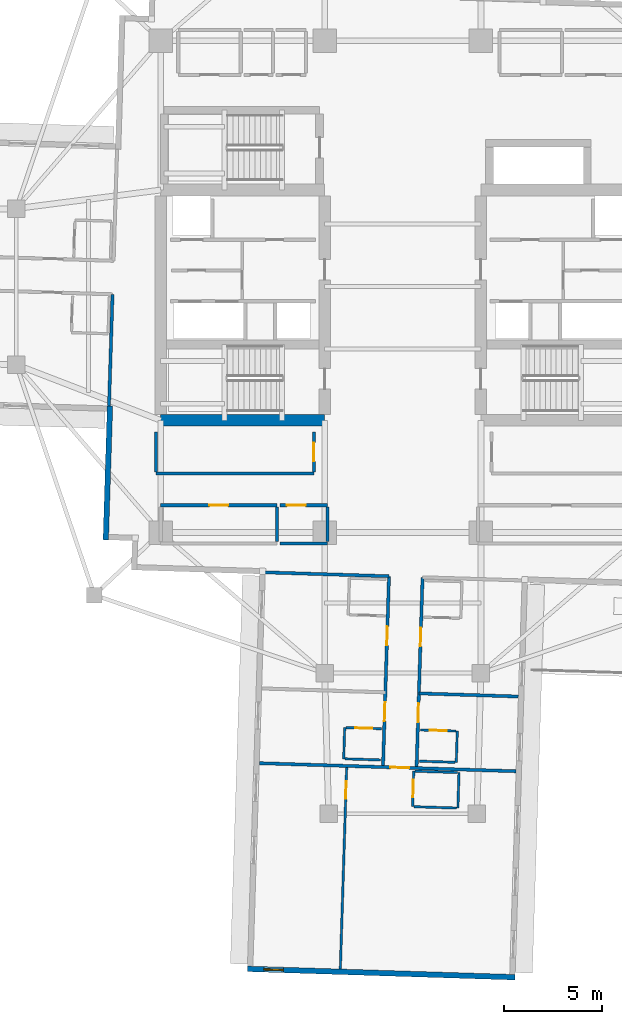
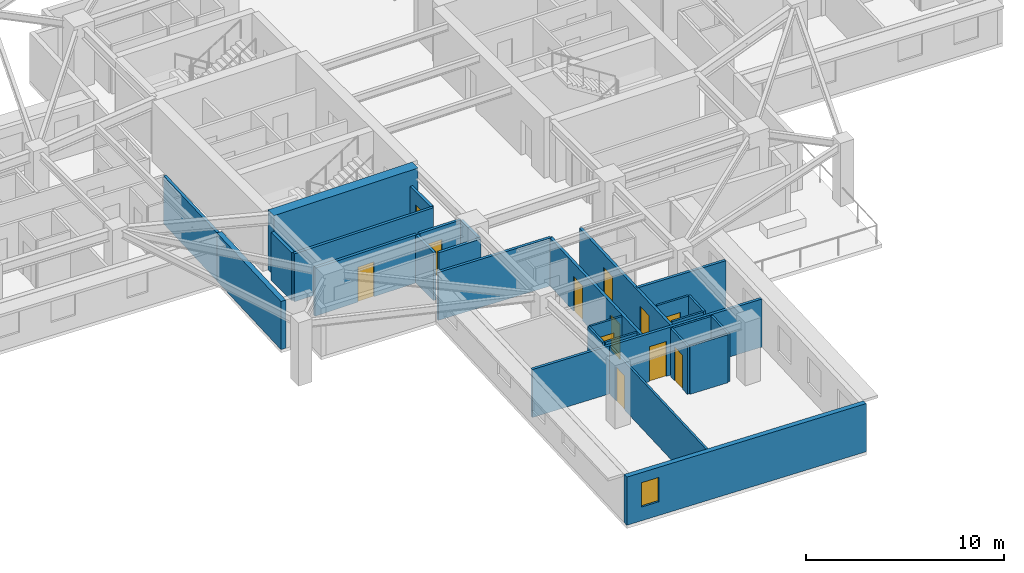
# One storey, part 3 of 14: 28 walls, 12 doors, 1 window, 13 openings.
"""IFC4 building model written with IfcOpenShell, lengths in metres."""

import ifcopenshell
import ifcopenshell.guid

model = None  # the IFC model being written
_history = None  # IfcOwnerHistory: only IFC2X3 demands one
_inside = {}  # id of a spatial element -> (the spatial element, [elements in it])
_under = {}  # id of a project, library or spatial element -> (it, [spatial elements below it])
_declared = {}  # id of a project -> (the project, [libraries it declares])
_typed = {}  # id of a type object -> (the type object, [elements of that type])
_made_of = {}  # id of a material, layer set ... -> (it, [elements and type objects made of it])


def new_model(schema):
    """Start an empty IFC model of exactly this schema.

    Asked for "IFC4X3", IfcOpenShell would pick the latest addendum, in which some entities
    have other attributes; the version numbers below select the first issue.
    IFC2X3 requires an IfcOwnerHistory on every rooted entity: one is made here for all.
    """
    global model, _history
    if schema == "IFC4X3":
        model = ifcopenshell.file(schema_version=(4, 3, 0, 0))
    else:
        model = ifcopenshell.file(schema=schema)
    _inside.clear()
    _under.clear()
    _declared.clear()
    _typed.clear()
    _made_of.clear()
    _history = None
    if model.schema == "IFC2X3":
        org = make("IfcOrganization", Name="unknown")
        user = make(
            "IfcPersonAndOrganization",
            ThePerson=make("IfcPerson", FamilyName="unknown"),
            TheOrganization=org,
        )
        app = make(
            "IfcApplication",
            ApplicationDeveloper=org,
            Version="unknown",
            ApplicationFullName="unknown",
            ApplicationIdentifier="unknown",
        )
        _history = make(
            "IfcOwnerHistory",
            OwningUser=user,
            OwningApplication=app,
            ChangeAction="ADDED",
            CreationDate=0,
        )
    return model


def make(cls, **values):
    """One entity of the class cls with the attributes given. An attribute that is None is left unset."""
    return model.create_entity(
        cls, **{name: value for name, value in values.items() if value is not None}
    )


def rooted(cls, **values):
    """An entity with a GlobalId (a new one), such as an element, a storey or a relation."""
    return make(cls, GlobalId=ifcopenshell.guid.new(), OwnerHistory=_history, **values)


def si_unit(unit_type, name, prefix=None):
    """IfcSIUnit, for example si_unit("LENGTHUNIT", "METRE", prefix="MILLI")."""
    return make("IfcSIUnit", UnitType=unit_type, Prefix=prefix, Name=name)


def assignment(units):
    """IfcUnitAssignment: the units of a project."""
    return None if units is None else make("IfcUnitAssignment", Units=units)


def point(xyz):
    """IfcCartesianPoint."""
    return None if xyz is None else make("IfcCartesianPoint", Coordinates=xyz)


def direction(xyz):
    """IfcDirection."""
    return None if xyz is None else make("IfcDirection", DirectionRatios=xyz)


def frame(location, z_axis=None, x_axis=None):
    """IfcAxis2Placement3D, a coordinate frame: its origin and axes. An axis left out is left unset."""
    return make(
        "IfcAxis2Placement3D",
        Location=point(location),
        Axis=direction(z_axis),
        RefDirection=direction(x_axis),
    )


def frame_2d(location, x_axis=None):
    """IfcAxis2Placement2D, a coordinate frame in the plane: its origin and x axis."""
    return make(
        "IfcAxis2Placement2D", Location=point(location), RefDirection=direction(x_axis)
    )


def origin():
    """The frame at (0, 0, 0) with its axes left unset."""
    return frame((0.0, 0.0, 0.0))


def place(relative_to, where):
    """IfcLocalPlacement: puts the frame where relative to a parent placement (None: the world)."""
    return make(
        "IfcLocalPlacement", PlacementRelTo=relative_to, RelativePlacement=where
    )


def context(
    kind, dimensions, precision=None, world=None, true_north=None, identifier=None
):
    """IfcGeometricRepresentationContext, for example the 3D "Model" context."""
    return make(
        "IfcGeometricRepresentationContext",
        ContextIdentifier=identifier,
        ContextType=kind,
        CoordinateSpaceDimension=dimensions,
        Precision=precision,
        WorldCoordinateSystem=world,
        TrueNorth=true_north,
    )


def subcontext(parent, identifier, kind, view, scale=None):
    """IfcGeometricRepresentationSubContext, for example "Body" below "Model"."""
    return make(
        "IfcGeometricRepresentationSubContext",
        ContextIdentifier=identifier,
        ContextType=kind,
        ParentContext=parent,
        TargetScale=scale,
        TargetView=view,
    )


def project(units=None, contexts=None):
    """IfcProject with its units and contexts."""
    return rooted(
        "IfcProject",
        Name="project",
        RepresentationContexts=contexts,
        UnitsInContext=assignment(units),
    )


def spatial(cls, under=None, at=None, **own):
    """A site, building, storey or space (cls), placed at a placement, below another one or the project."""
    s = rooted(cls, ObjectPlacement=at, **own)
    if under is not None:
        _under.setdefault(under.id(), (under, []))[1].append(s)
    return s


def profile(cls, at=None, kind="AREA", **sizes):
    """A parametric profile (cls). Its sizes go by their IFC names, for example OverallWidth=200.0."""
    return make(cls, ProfileType=kind, Position=at, **sizes)


def rectangle(**sizes):
    """IfcRectangleProfileDef."""
    return profile("IfcRectangleProfileDef", **sizes)


def extrude(swept, where, along, depth):
    """IfcExtrudedAreaSolid: the profile swept, set in the frame where, extruded along a direction by depth."""
    return make(
        "IfcExtrudedAreaSolid",
        SweptArea=swept,
        Position=where,
        ExtrudedDirection=direction(along),
        Depth=depth,
    )


def shape(context_of_items, identifier, shape_type, items):
    """IfcShapeRepresentation: the items that make up one representation, for example the "Body"."""
    return make(
        "IfcShapeRepresentation",
        ContextOfItems=context_of_items,
        RepresentationIdentifier=identifier,
        RepresentationType=shape_type,
        Items=items,
    )


def material(Name=None, Category=None):
    """IfcMaterial."""
    return make("IfcMaterial", Name=Name, Category=Category)


def layer(
    of_material, thickness, ventilated=None, Name=None, Category=None, Priority=None
):
    """IfcMaterialLayer: one layer of a wall or slab, of a material (None: an air gap)."""
    return make(
        "IfcMaterialLayer",
        Material=of_material,
        LayerThickness=thickness,
        IsVentilated=ventilated,
        Name=Name,
        Category=Category,
        Priority=Priority,
    )


def layer_set(layers, Name=None):
    """IfcMaterialLayerSet."""
    return make("IfcMaterialLayerSet", MaterialLayers=layers, LayerSetName=Name)


def made_of(thing, what):
    """Note that an element or type object is made of a material, layer set ...; save() writes the relation."""
    if what is not None:
        _made_of.setdefault(what.id(), (what, []))[1].append(thing)
    return thing


def type_object(cls, material=None, **own):
    """A type object (cls), such as IfcWallType, which elements share."""
    return made_of(rooted(cls, **own), material)


def element(
    cls,
    number,
    at=None,
    inside=None,
    cuts=None,
    type_object=None,
    material=None,
    context=None,
    identifier="Body",
    shape_type=None,
    held_by="IfcProductDefinitionShape",
    body=None,
    shapes=None,
    **own,
):
    """One element of the class cls, such as IfcWall. Its Tag is "e" and its number.

    at: its placement. inside: the storey or other place that contains it. cuts: it is an
    opening in that element (IfcRelVoidsElement). A single representation is given by context,
    identifier, shape_type and body (its items); several are given by shapes. held_by: the class
    of the entity that holds the representations. save() writes the other relations.
    """
    e = rooted(cls, Tag="e%d" % number, ObjectPlacement=at, **own)
    if body is not None:
        shapes = [shape(context, identifier, shape_type, body)]
    if shapes is not None:
        e.Representation = make(held_by, Representations=shapes)
    if inside is not None:
        _inside.setdefault(inside.id(), (inside, []))[1].append(e)
    if cuts is not None:
        rooted(
            "IfcRelVoidsElement", RelatingBuildingElement=cuts, RelatedOpeningElement=e
        )
    if type_object is not None:
        _typed.setdefault(type_object.id(), (type_object, []))[1].append(e)
    return made_of(e, material)


def fill(opening, filler):
    """IfcRelFillsElement: the door or window that sits in an opening."""
    return rooted(
        "IfcRelFillsElement",
        RelatingOpeningElement=opening,
        RelatedBuildingElement=filler,
    )


def aggregate(whole, parts):
    """IfcRelAggregates: a whole, such as a stair, and the parts it consists of."""
    return rooted("IfcRelAggregates", RelatingObject=whole, RelatedObjects=parts)


def save(model, path):
    """Write the relations noted so far, then the file.

    IfcRelAggregates (storeys below a building ...), IfcRelContainedInSpatialStructure (elements
    in a storey), IfcRelDefinesByType, IfcRelAssociatesMaterial and IfcRelDeclares: one each for
    every whole, place, type object, material and project.
    """
    for whole, parts in _under.values():
        aggregate(whole, parts)
    for where, things in _inside.values():
        rooted(
            "IfcRelContainedInSpatialStructure",
            RelatedElements=things,
            RelatingStructure=where,
        )
    for kind, things in _typed.values():
        rooted("IfcRelDefinesByType", RelatedObjects=things, RelatingType=kind)
    for what, things in _made_of.values():
        rooted("IfcRelAssociatesMaterial", RelatedObjects=things, RelatingMaterial=what)
    for by, libraries in _declared.values():
        rooted("IfcRelDeclares", RelatingContext=by, RelatedDefinitions=libraries)
    model.write(path)


model = new_model("IFC4")

# Units and contexts
model_context = context("Model", 3, precision=1e-05, world=origin(), true_north=direction((0.0, 1.0)))
body_context = subcontext(model_context, "Body", "Model", "MODEL_VIEW")
ifc_project = project(units=[si_unit("LENGTHUNIT", "METRE"), si_unit("AREAUNIT", "SQUARE_METRE"), si_unit("VOLUMEUNIT", "CUBIC_METRE"), si_unit("PLANEANGLEUNIT", "RADIAN"), si_unit("MASSUNIT", "GRAM", prefix="KILO")], contexts=[model_context])

# Site, building, storey
site_placement = place(None, origin())
site = spatial("IfcSite", under=ifc_project, at=site_placement, CompositionType="ELEMENT")
building_placement = place(site_placement, origin())
building = spatial("IfcBuilding", under=site, at=building_placement, Name="Qingluan Cross Belvedere", CompositionType="ELEMENT")
storey_placement = place(building_placement, frame((0.0, 0.0, 176.10009765625)))
storey = spatial("IfcBuildingStorey", under=building, at=storey_placement, Name="L44", CompositionType="ELEMENT", Elevation=176.10009765625)

# Wall
ifc_material_1 = material(Name="Concrete C60", Category="concrete")
ifc_layer_1 = layer(ifc_material_1, 0.60009765625, Name="CoreShearWall_600")
ifc_layer_set_1 = layer_set([ifc_layer_1], Name="Concrete C60")
wall_type_1 = type_object("IfcWallType", Name="CoreShearWall_600", PredefinedType="SHEAR", material=ifc_layer_set_1)
wall_1_placement = place(storey_placement, frame((-12.39990234375, -6.85009765625, 0.0), z_axis=(0.0, 0.0, 1.0), x_axis=(1.0, 0.0, 0.0)))
element("IfcWall", 1, at=wall_1_placement, inside=storey, type_object=wall_type_1, Name="Split core W shear wall L44-S", PredefinedType="SHEAR", context=body_context, shape_type="SweptSolid", body=[
    extrude(rectangle(XDim=8.39990234375, YDim=0.60009765625, at=frame_2d((4.199951171875, 0.0))), origin(), (0.0, 0.0, 1.0), 3.699951171875),
])

# Wall, opening, door
ifc_material_2 = material(Name="Gypsum plasterboard on steel stud acoustic partition", Category="steel")
ifc_layer_2 = layer(ifc_material_2, 0.159912109375, Name="CorridorPartition_160")
ifc_layer_set_2 = layer_set([ifc_layer_2], Name="Gypsum plasterboard on steel stud acoustic partition")
wall_type_2 = type_object("IfcWallType", Name="CorridorPartition_160", PredefinedType="PARTITIONING", material=ifc_layer_set_2)
wall_2_placement = place(storey_placement, frame((-12.39990234375, -11.199951171875, 0.0), z_axis=(0.0, 0.0, 1.0), x_axis=(1.0, 0.0, 0.0)))
wall_2 = element("IfcWall", 2, at=wall_2_placement, inside=storey, type_object=wall_type_2, Name="Partition L44:q_sw1:N", PredefinedType="PARTITIONING", context=body_context, shape_type="SweptSolid", body=[
    extrude(rectangle(XDim=5.949951171875, YDim=0.159912109375, at=frame_2d((2.97509765625, 0.0))), origin(), (0.0, 0.0, 1.0), 2.9599609375),
])
opening_1_placement = place(wall_2_placement, frame((2.4951171875, 0.0, 0.0)))
opening_1 = element("IfcOpeningElement", 3, at=opening_1_placement, cuts=wall_2, Name="Opening GD-10", PredefinedType="OPENING", context=body_context, shape_type="SweptSolid", body=[
    extrude(rectangle(XDim=0.9599609375, YDim=2.14990234375, at=frame_2d((0.47998046875, 1.074951171875))), frame((0.0, 0.08984375, 0.0), z_axis=(0.0, -1.0, 0.0), x_axis=(1.0, 0.0, 0.0)), (0.0, 0.0, 1.0), 0.179931640625),
])
ifc_material_3 = material(Name="Timber oak fire-rated acoustic guestroom door", Category="wood")
door_type_1 = type_object("IfcDoorType", Name="GuestEntryDoor_FD60", OperationType="NOTDEFINED", PredefinedType="DOOR", material=ifc_material_3)
door_1_placement = place(opening_1_placement, origin())
door_1 = element("IfcDoor", 4, at=door_1_placement, inside=storey, type_object=door_type_1, Name="Massage treatment room L44 door", OperationType="SINGLE_SWING_LEFT", OverallHeight=2.14990234375, OverallWidth=0.9599609375, PredefinedType="DOOR", context=body_context, shape_type="SweptSolid", body=[
    extrude(rectangle(XDim=0.9599609375, YDim=2.14990234375, at=frame_2d((0.47998046875, 1.074951171875))), frame((0.0, 0.02490234375, 0.0), z_axis=(0.0, -1.0, 0.0), x_axis=(1.0, 0.0, 0.0)), (0.0, 0.0, 1.0), 0.050048828125),
])
fill(opening_1, door_1)

# Walls
wall_3_placement = place(storey_placement, frame((-6.449951171875, -13.06494140625, 0.0), z_axis=(0.0, 0.0, 1.0), x_axis=(0.0, 1.0, 0.0)))
element("IfcWall", 5, at=wall_3_placement, inside=storey, type_object=wall_type_2, Name="Partition L44:q_sw1:E", PredefinedType="PARTITIONING", context=body_context, shape_type="SweptSolid", body=[
    extrude(rectangle(XDim=1.780029296875, YDim=0.159912109375, at=frame_2d((0.89013671875, 0.0))), origin(), (0.0, 0.0, 1.0), 2.9599609375),
])
wall_4_placement = place(storey_placement, frame((-6.2900390625, -13.14990234375, 0.0), z_axis=(0.0, 0.0, 1.0), x_axis=(1.0, 0.0, 0.0)))
element("IfcWall", 6, at=wall_4_placement, inside=storey, type_object=wall_type_2, Name="Partition L44:q_sw2:S", PredefinedType="PARTITIONING", context=body_context, shape_type="SweptSolid", body=[
    extrude(rectangle(XDim=2.43994140625, YDim=0.159912109375, at=frame_2d((1.219970703125, 0.0))), origin(), (0.0, 0.0, 1.0), 2.9599609375),
])

# Wall, opening, door
wall_5_placement = place(storey_placement, frame((-6.2900390625, -11.199951171875, 0.0), z_axis=(0.0, 0.0, 1.0), x_axis=(1.0, 0.0, 0.0)))
wall_5 = element("IfcWall", 7, at=wall_5_placement, inside=storey, type_object=wall_type_2, Name="Partition L44:q_sw2:N", PredefinedType="PARTITIONING", context=body_context, shape_type="SweptSolid", body=[
    extrude(rectangle(XDim=2.43994140625, YDim=0.159912109375, at=frame_2d((1.219970703125, 0.0))), origin(), (0.0, 0.0, 1.0), 2.9599609375),
])
opening_2_placement = place(wall_5_placement, frame((0.35009765625, 0.0, 0.0)))
opening_2 = element("IfcOpeningElement", 8, at=opening_2_placement, cuts=wall_5, Name="Opening GD-10", PredefinedType="OPENING", context=body_context, shape_type="SweptSolid", body=[
    extrude(rectangle(XDim=0.9599609375, YDim=2.14990234375, at=frame_2d((0.47998046875, 1.074951171875))), frame((0.0, 0.08984375, 0.0), z_axis=(0.0, -1.0, 0.0), x_axis=(1.0, 0.0, 0.0)), (0.0, 0.0, 1.0), 0.179931640625),
])
door_2_placement = place(opening_2_placement, origin())
door_2 = element("IfcDoor", 9, at=door_2_placement, inside=storey, type_object=door_type_1, Name="Southwest reading room L44 door", OperationType="SINGLE_SWING_RIGHT", OverallHeight=2.14990234375, OverallWidth=0.9599609375, PredefinedType="DOOR", context=body_context, shape_type="SweptSolid", body=[
    extrude(rectangle(XDim=0.9599609375, YDim=2.14990234375, at=frame_2d((0.47998046875, 1.074951171875))), frame((0.0, 0.02490234375, 0.0), z_axis=(0.0, -1.0, 0.0), x_axis=(1.0, 0.0, 0.0)), (0.0, 0.0, 1.0), 0.050048828125),
])
fill(opening_2, door_2)

# Walls
wall_6_placement = place(storey_placement, frame((-3.85009765625, -13.06494140625, 0.0), z_axis=(0.0, 0.0, 1.0), x_axis=(0.0, 1.0, 0.0)))
element("IfcWall", 10, at=wall_6_placement, inside=storey, type_object=wall_type_2, Name="Partition L44:q_sw2:E", PredefinedType="PARTITIONING", context=body_context, shape_type="SweptSolid", body=[
    extrude(rectangle(XDim=1.780029296875, YDim=0.159912109375, at=frame_2d((0.89013671875, 0.0))), origin(), (0.0, 0.0, 1.0), 2.9599609375),
])
wall_7_placement = place(storey_placement, frame((-12.64990234375, -9.580078125, 0.0), z_axis=(0.0, 0.0, 1.0), x_axis=(1.0, 0.0, 0.0)))
element("IfcWall", 11, at=wall_7_placement, inside=storey, type_object=wall_type_2, Name="Partition L44:rec_st4_w:S", PredefinedType="PARTITIONING", context=body_context, shape_type="SweptSolid", body=[
    extrude(rectangle(XDim=8.099853515625, YDim=0.159912109375, at=frame_2d((4.0498046875, 0.0))), origin(), (0.0, 0.0, 1.0), 2.9599609375),
])
wall_8_placement = place(storey_placement, frame((-12.64990234375, -9.4951171875, 0.0), z_axis=(0.0, 0.0, 1.0), x_axis=(0.0, 1.0, 0.0)))
element("IfcWall", 12, at=wall_8_placement, inside=storey, type_object=wall_type_2, Name="Partition L44:rec_st4_w:W", PredefinedType="PARTITIONING", context=body_context, shape_type="SweptSolid", body=[
    extrude(rectangle(XDim=2.06005859375, YDim=0.159912109375, at=frame_2d((1.030029296875, 0.0))), origin(), (0.0, 0.0, 1.0), 2.9599609375),
])

# Wall, opening, door
wall_9_placement = place(storey_placement, frame((-4.550048828125, -9.4951171875, 0.0), z_axis=(0.0, 0.0, 1.0), x_axis=(0.0, 1.0, 0.0)))
wall_9 = element("IfcWall", 13, at=wall_9_placement, inside=storey, type_object=wall_type_2, Name="Partition L44:rec_st4_w:E", PredefinedType="PARTITIONING", context=body_context, shape_type="SweptSolid", body=[
    extrude(rectangle(XDim=2.06005859375, YDim=0.159912109375, at=frame_2d((1.030029296875, 0.0))), origin(), (0.0, 0.0, 1.0), 2.9599609375),
])
opening_3_placement = place(wall_9_placement, frame((0.550048828125, 0.0, 0.0)))
opening_3 = element("IfcOpeningElement", 14, at=opening_3_placement, cuts=wall_9, Name="Opening GD-10", PredefinedType="OPENING", context=body_context, shape_type="SweptSolid", body=[
    extrude(rectangle(XDim=0.9599609375, YDim=2.14990234375, at=frame_2d((0.47998046875, 1.074951171875))), frame((0.0, 0.08984375, 0.0), z_axis=(0.0, -1.0, 0.0), x_axis=(1.0, 0.0, 0.0)), (0.0, 0.0, 1.0), 0.179931640625),
])
door_3_placement = place(opening_3_placement, origin())
door_3 = element("IfcDoor", 15, at=door_3_placement, inside=storey, type_object=door_type_1, Name="Southwest club reading room L44 door", OperationType="SINGLE_SWING_LEFT", OverallHeight=2.14990234375, OverallWidth=0.9599609375, PredefinedType="DOOR", context=body_context, shape_type="SweptSolid", body=[
    extrude(rectangle(XDim=0.9599609375, YDim=2.14990234375, at=frame_2d((0.47998046875, 1.074951171875))), frame((0.0, 0.02490234375, 0.0), z_axis=(0.0, -1.0, 0.0), x_axis=(1.0, 0.0, 0.0)), (0.0, 0.0, 1.0), 0.050048828125),
])
fill(opening_3, door_3)

# Wall
wall_10_placement = place(storey_placement, frame((-14.86962890625, -0.39306640625, 0.0), z_axis=(0.0, 0.0, 1.0), x_axis=(-0.031457590098, -0.999505087543, 0.0)))
element("IfcWall", 16, at=wall_10_placement, inside=storey, type_object=wall_type_2, Name="Partition L44:W:s1", PredefinedType="PARTITIONING", context=body_context, shape_type="SweptSolid", body=[
    extrude(rectangle(XDim=5.712158203125, YDim=0.159912109375, at=frame_2d((2.85595703125, 0.0))), origin(), (0.0, 0.0, 1.0), 2.9599609375),
])

# Wall, openings, doors
wall_11_placement = place(storey_placement, frame((1.0126953125, -14.88916015625, 0.0), z_axis=(0.0, 0.0, 1.0), x_axis=(-0.031410762168, -0.999506560269, 0.0)))
wall_11 = element("IfcWall", 17, at=wall_11_placement, inside=storey, type_object=wall_type_2, Name="Partition L44:S:c0", PredefinedType="PARTITIONING", context=body_context, shape_type="SweptSolid", body=[
    extrude(rectangle(XDim=9.7001953125, YDim=0.159912109375, at=frame_2d((4.85009765625, 0.0))), origin(), (0.0, 0.0, 1.0), 2.9599609375),
])
opening_4_placement = place(wall_11_placement, frame((2.574951171875, 0.0, 0.0)))
opening_4 = element("IfcOpeningElement", 18, at=opening_4_placement, cuts=wall_11, Name="Opening GD-10", PredefinedType="OPENING", context=body_context, shape_type="SweptSolid", body=[
    extrude(rectangle(XDim=0.9599609375, YDim=2.14990234375, at=frame_2d((0.47998046875, 1.074951171875))), frame((0.0, 0.08984375, 0.0), z_axis=(0.0, -1.0, 0.0), x_axis=(1.0, 0.0, 0.0)), (0.0, 0.0, 1.0), 0.179931640625),
])
opening_5_placement = place(wall_11_placement, frame((6.467041015625, 0.0, 0.0)))
opening_5 = element("IfcOpeningElement", 19, at=opening_5_placement, cuts=wall_11, Name="Opening GD-10", PredefinedType="OPENING", context=body_context, shape_type="SweptSolid", body=[
    extrude(rectangle(XDim=0.9599609375, YDim=2.14990234375, at=frame_2d((0.47998046875, 1.074951171875))), frame((0.0, 0.08984375, 0.0), z_axis=(0.0, -1.0, 0.0), x_axis=(1.0, 0.0, 0.0)), (0.0, 0.0, 1.0), 0.179931640625),
])
door_4_placement = place(opening_4_placement, origin())
door_4 = element("IfcDoor", 20, at=door_4_placement, inside=storey, type_object=door_type_1, Name="Guest entry fire door 4415", OperationType="SINGLE_SWING_RIGHT", OverallHeight=2.14990234375, OverallWidth=0.9599609375, PredefinedType="DOOR", context=body_context, shape_type="SweptSolid", body=[
    extrude(rectangle(XDim=0.9599609375, YDim=2.14990234375, at=frame_2d((0.47998046875, 1.074951171875))), frame((0.0, 0.02490234375, 0.0), z_axis=(0.0, -1.0, 0.0), x_axis=(1.0, 0.0, 0.0)), (0.0, 0.0, 1.0), 0.050048828125),
])
fill(opening_4, door_4)
door_5_placement = place(opening_5_placement, origin())
door_5 = element("IfcDoor", 21, at=door_5_placement, inside=storey, type_object=door_type_1, Name="Guest entry fire door 4416", OperationType="SINGLE_SWING_RIGHT", OverallHeight=2.14990234375, OverallWidth=0.9599609375, PredefinedType="DOOR", context=body_context, shape_type="SweptSolid", body=[
    extrude(rectangle(XDim=0.9599609375, YDim=2.14990234375, at=frame_2d((0.47998046875, 1.074951171875))), frame((0.0, 0.02490234375, 0.0), z_axis=(0.0, -1.0, 0.0), x_axis=(1.0, 0.0, 0.0)), (0.0, 0.0, 1.0), 0.050048828125),
])
fill(opening_5, door_5)

# Wall
wall_12_placement = place(storey_placement, frame((0.825927734375, -20.836181640625, 0.0), z_axis=(0.0, 0.0, 1.0), x_axis=(0.999506728859, -0.031405397074, 0.0)))
element("IfcWall", 22, at=wall_12_placement, inside=storey, type_object=wall_type_2, Name="Partition L44:S:d0_0", PredefinedType="PARTITIONING", context=body_context, shape_type="SweptSolid", body=[
    extrude(rectangle(XDim=5.091796875, YDim=0.159912109375, at=frame_2d((2.5458984375, 0.0))), origin(), (0.0, 0.0, 1.0), 2.9599609375),
])

# Wall, openings, doors
wall_13_placement = place(storey_placement, frame((-0.706298828125, -14.835205078125, 0.0), z_axis=(0.0, 0.0, 1.0), x_axis=(-0.031411552371, -0.999506535435, 0.0)))
wall_13 = element("IfcWall", 23, at=wall_13_placement, inside=storey, type_object=wall_type_2, Name="Partition L44:S:c1", PredefinedType="PARTITIONING", context=body_context, shape_type="SweptSolid", body=[
    extrude(rectangle(XDim=9.699951171875, YDim=0.159912109375, at=frame_2d((4.85009765625, 0.0))), origin(), (0.0, 0.0, 1.0), 2.9599609375),
])
opening_6_placement = place(wall_13_placement, frame((2.574951171875, 0.0, 0.0)))
opening_6 = element("IfcOpeningElement", 24, at=opening_6_placement, cuts=wall_13, Name="Opening GD-10", PredefinedType="OPENING", context=body_context, shape_type="SweptSolid", body=[
    extrude(rectangle(XDim=0.9599609375, YDim=2.14990234375, at=frame_2d((0.47998046875, 1.074951171875))), frame((0.0, 0.08984375, 0.0), z_axis=(0.0, -1.0, 0.0), x_axis=(1.0, 0.0, 0.0)), (0.0, 0.0, 1.0), 0.179931640625),
])
opening_7_placement = place(wall_13_placement, frame((6.467041015625, 0.0, 0.0)))
opening_7 = element("IfcOpeningElement", 25, at=opening_7_placement, cuts=wall_13, Name="Opening GD-10", PredefinedType="OPENING", context=body_context, shape_type="SweptSolid", body=[
    extrude(rectangle(XDim=0.9599609375, YDim=2.14990234375, at=frame_2d((0.47998046875, 1.074951171875))), frame((0.0, 0.08984375, 0.0), z_axis=(0.0, -1.0, 0.0), x_axis=(1.0, 0.0, 0.0)), (0.0, 0.0, 1.0), 0.179931640625),
])
door_6_placement = place(opening_6_placement, origin())
door_6 = element("IfcDoor", 26, at=door_6_placement, inside=storey, type_object=door_type_1, Name="Guest entry fire door 4417", OperationType="SINGLE_SWING_RIGHT", OverallHeight=2.14990234375, OverallWidth=0.9599609375, PredefinedType="DOOR", context=body_context, shape_type="SweptSolid", body=[
    extrude(rectangle(XDim=0.9599609375, YDim=2.14990234375, at=frame_2d((0.47998046875, 1.074951171875))), frame((0.0, 0.02490234375, 0.0), z_axis=(0.0, -1.0, 0.0), x_axis=(1.0, 0.0, 0.0)), (0.0, 0.0, 1.0), 0.050048828125),
])
fill(opening_6, door_6)
door_7_placement = place(opening_7_placement, origin())
door_7 = element("IfcDoor", 27, at=door_7_placement, inside=storey, type_object=door_type_1, Name="Guest entry fire door 4418", OperationType="SINGLE_SWING_RIGHT", OverallHeight=2.14990234375, OverallWidth=0.9599609375, PredefinedType="DOOR", context=body_context, shape_type="SweptSolid", body=[
    extrude(rectangle(XDim=0.9599609375, YDim=2.14990234375, at=frame_2d((0.47998046875, 1.074951171875))), frame((0.0, 0.02490234375, 0.0), z_axis=(0.0, -1.0, 0.0), x_axis=(1.0, 0.0, 0.0)), (0.0, 0.0, 1.0), 0.050048828125),
])
fill(opening_7, door_7)

# Wall
wall_14_placement = place(storey_placement, frame((-0.706298828125, -14.835205078125, 0.0), z_axis=(0.0, 0.0, 1.0), x_axis=(-0.999506214218, 0.031421771746, 0.0)))
element("IfcWall", 28, at=wall_14_placement, inside=storey, type_object=wall_type_2, Name="Partition L44:S:s1", PredefinedType="PARTITIONING", context=body_context, shape_type="SweptSolid", body=[
    extrude(rectangle(XDim=6.47998046875, YDim=0.159912109375, at=frame_2d((3.239990234375, 0.0))), origin(), (0.0, 0.0, 1.0), 2.9599609375),
])

# Wall, opening, door
wall_15_placement = place(storey_placement, frame((-7.34228515625, -24.411376953125, 0.0), z_axis=(0.0, 0.0, 1.0), x_axis=(0.999506606318, -0.031409296822, 0.0)))
wall_15 = element("IfcWall", 29, at=wall_15_placement, inside=storey, type_object=wall_type_2, Name="Partition L44:Scap:in", PredefinedType="PARTITIONING", context=body_context, shape_type="SweptSolid", body=[
    extrude(rectangle(XDim=13.14404296875, YDim=0.159912109375, at=frame_2d((6.572021484375, 0.0))), origin(), (0.0, 0.0, 1.0), 2.9599609375),
])
opening_8_placement = place(wall_15_placement, frame((6.7119140625, 0.0, 0.0)))
opening_8 = element("IfcOpeningElement", 30, at=opening_8_placement, cuts=wall_15, Name="Opening GD-10", PredefinedType="OPENING", context=body_context, shape_type="SweptSolid", body=[
    extrude(rectangle(XDim=0.9599609375, YDim=2.14990234375, at=frame_2d((0.47998046875, 1.074951171875))), frame((0.0, 0.08984375, 0.0), z_axis=(0.0, -1.0, 0.0), x_axis=(1.0, 0.0, 0.0)), (0.0, 0.0, 1.0), 0.179931640625),
])
door_8_placement = place(opening_8_placement, origin())
door_8 = element("IfcDoor", 31, at=door_8_placement, inside=storey, type_object=door_type_1, Name="Horizon corner suite door L44S", OperationType="SINGLE_SWING_LEFT", OverallHeight=2.14990234375, OverallWidth=0.9599609375, PredefinedType="DOOR", context=body_context, shape_type="SweptSolid", body=[
    extrude(rectangle(XDim=0.9599609375, YDim=2.14990234375, at=frame_2d((0.47998046875, 1.074951171875))), frame((0.0, 0.02490234375, 0.0), z_axis=(0.0, -1.0, 0.0), x_axis=(1.0, 0.0, 0.0)), (0.0, 0.0, 1.0), 0.050048828125),
])
fill(opening_8, door_8)

ifc_material_4 = material(Name="Moisture-resistant gypsum board lining")
ifc_layer_3 = layer(ifc_material_4, 0.1201171875, Name="EnsuiteWetPartition_120")
ifc_layer_set_3 = layer_set([ifc_layer_3], Name="Moisture-resistant gypsum board lining")
wall_type_3 = type_object("IfcWallType", Name="EnsuiteWetPartition_120", PredefinedType="PARTITIONING", material=ifc_layer_set_3)
wall_16_placement = place(storey_placement, frame((0.906982421875, -22.709716796875, 0.0), z_axis=(0.0, 0.0, 1.0), x_axis=(0.999507353951, -0.031385496622, 0.0)))
wall_16 = element("IfcWall", 32, at=wall_16_placement, inside=storey, type_object=wall_type_3, Name="Partition L44:S:bs0_1", PredefinedType="PARTITIONING", context=body_context, shape_type="SweptSolid", body=[
    extrude(rectangle(XDim=1.8203125, YDim=0.1201171875, at=frame_2d((0.91015625, 0.0))), origin(), (0.0, 0.0, 1.0), 2.9599609375),
])
opening_9_placement = place(wall_16_placement, frame((0.469970703125, 0.0, 0.0)))
opening_9 = element("IfcOpeningElement", 33, at=opening_9_placement, cuts=wall_16, Name="Opening BD-09", PredefinedType="OPENING", context=body_context, shape_type="SweptSolid", body=[
    extrude(rectangle(XDim=0.8798828125, YDim=2.10009765625, at=frame_2d((0.43994140625, 1.050048828125))), frame((0.0, 0.070068359375, 0.0), z_axis=(0.0, -1.0, 0.0), x_axis=(1.0, 0.0, 0.0)), (0.0, 0.0, 1.0), 0.14013671875),
])
ifc_material_5 = material(Name="Moisture-sealed timber en-suite door", Category="wood")
door_type_2 = type_object("IfcDoorType", Name="BathroomDoor_880", OperationType="NOTDEFINED", PredefinedType="DOOR", material=ifc_material_5)
door_9_placement = place(opening_9_placement, origin())
door_9 = element("IfcDoor", 34, at=door_9_placement, inside=storey, type_object=door_type_2, Name="Bathroom door 4416", OperationType="SINGLE_SWING_LEFT", OverallHeight=2.10009765625, OverallWidth=0.8798828125, PredefinedType="DOOR", context=body_context, shape_type="SweptSolid", body=[
    extrude(rectangle(XDim=0.8798828125, YDim=2.10009765625, at=frame_2d((0.43994140625, 1.050048828125))), frame((0.0, 0.02490234375, 0.0), z_axis=(0.0, -1.0, 0.0), x_axis=(1.0, 0.0, 0.0)), (0.0, 0.0, 1.0), 0.050048828125),
])
fill(opening_9, door_9)

# Walls
wall_17_placement = place(storey_placement, frame((0.85693359375, -24.308837890625, 0.0), z_axis=(0.0, 0.0, 1.0), x_axis=(0.999503004171, -0.03152371574, 0.0)))
element("IfcWall", 35, at=wall_17_placement, inside=storey, type_object=wall_type_3, Name="Partition L44:S:bw0_1", PredefinedType="PARTITIONING", context=body_context, shape_type="SweptSolid", body=[
    extrude(rectangle(XDim=1.820068359375, YDim=0.1201171875, at=frame_2d((0.91015625, 0.0))), origin(), (0.0, 0.0, 1.0), 2.9599609375),
])
wall_18_placement = place(storey_placement, frame((2.791259765625, -22.768798828125, 0.0), z_axis=(0.0, 0.0, 1.0), x_axis=(-0.031430045267, -0.999505954087, 0.0)))
element("IfcWall", 36, at=wall_18_placement, inside=storey, type_object=wall_type_3, Name="Partition L44:S:bn0_1", PredefinedType="PARTITIONING", context=body_context, shape_type="SweptSolid", body=[
    extrude(rectangle(XDim=1.60009765625, YDim=0.1201171875, at=frame_2d((0.800048828125, 0.0))), origin(), (0.0, 0.0, 1.0), 2.9599609375),
])

# Wall, opening, door
wall_19_placement = place(storey_placement, frame((-2.910888671875, -22.589599609375, 0.0), z_axis=(0.0, 0.0, 1.0), x_axis=(0.999503004171, -0.03152371574, 0.0)))
wall_19 = element("IfcWall", 37, at=wall_19_placement, inside=storey, type_object=wall_type_3, Name="Partition L44:S:bs1_1", PredefinedType="PARTITIONING", context=body_context, shape_type="SweptSolid", body=[
    extrude(rectangle(XDim=1.820068359375, YDim=0.1201171875, at=frame_2d((0.91015625, 0.0))), origin(), (0.0, 0.0, 1.0), 2.9599609375),
])
opening_10_placement = place(wall_19_placement, frame((0.469970703125, 0.0, 0.0)))
opening_10 = element("IfcOpeningElement", 38, at=opening_10_placement, cuts=wall_19, Name="Opening BD-09", PredefinedType="OPENING", context=body_context, shape_type="SweptSolid", body=[
    extrude(rectangle(XDim=0.8798828125, YDim=2.10009765625, at=frame_2d((0.43994140625, 1.050048828125))), frame((0.0, 0.070068359375, 0.0), z_axis=(0.0, -1.0, 0.0), x_axis=(1.0, 0.0, 0.0)), (0.0, 0.0, 1.0), 0.14013671875),
])
door_10_placement = place(opening_10_placement, origin())
door_10 = element("IfcDoor", 39, at=door_10_placement, inside=storey, type_object=door_type_2, Name="Bathroom door 4418", OperationType="SINGLE_SWING_LEFT", OverallHeight=2.10009765625, OverallWidth=0.8798828125, PredefinedType="DOOR", context=body_context, shape_type="SweptSolid", body=[
    extrude(rectangle(XDim=0.8798828125, YDim=2.10009765625, at=frame_2d((0.43994140625, 1.050048828125))), frame((0.0, 0.02490234375, 0.0), z_axis=(0.0, -1.0, 0.0), x_axis=(1.0, 0.0, 0.0)), (0.0, 0.0, 1.0), 0.050048828125),
])
fill(opening_10, door_10)

# Walls
wall_20_placement = place(storey_placement, frame((-2.961181640625, -24.18896484375, 0.0), z_axis=(0.0, 0.0, 1.0), x_axis=(0.999507221803, -0.031389704724, 0.0)))
element("IfcWall", 40, at=wall_20_placement, inside=storey, type_object=wall_type_3, Name="Partition L44:S:bw1_1", PredefinedType="PARTITIONING", context=body_context, shape_type="SweptSolid", body=[
    extrude(rectangle(XDim=1.820068359375, YDim=0.1201171875, at=frame_2d((0.91015625, 0.0))), origin(), (0.0, 0.0, 1.0), 2.9599609375),
])
wall_21_placement = place(storey_placement, frame((-2.97607421875, -22.587646484375, 0.0), z_axis=(0.0, 0.0, 1.0), x_axis=(-0.031277621856, -0.999510735496, 0.0)))
element("IfcWall", 41, at=wall_21_placement, inside=storey, type_object=wall_type_3, Name="Partition L44:S:bc1_1", PredefinedType="PARTITIONING", context=body_context, shape_type="SweptSolid", body=[
    extrude(rectangle(XDim=1.60009765625, YDim=0.1201171875, at=frame_2d((0.800048828125, 0.0))), origin(), (0.0, 0.0, 1.0), 2.9599609375),
])

# Wall, opening, door
wall_22_placement = place(storey_placement, frame((-2.87548828125, -24.641845703125, 0.0), z_axis=(0.0, 0.0, 1.0), x_axis=(-0.031417318427, -0.999506354208, 0.0)))
wall_22 = element("IfcWall", 42, at=wall_22_placement, inside=storey, type_object=wall_type_3, Name="Partition L44:Scap:m2", PredefinedType="PARTITIONING", context=body_context, shape_type="SweptSolid", body=[
    extrude(rectangle(XDim=10.31201171875, YDim=0.1201171875, at=frame_2d((5.156005859375, 0.0))), origin(), (0.0, 0.0, 1.0), 2.9599609375),
])
opening_11_placement = place(wall_22_placement, frame((0.699951171875, 0.0, 0.0)))
opening_11 = element("IfcOpeningElement", 43, at=opening_11_placement, cuts=wall_22, Name="Opening BD-89", PredefinedType="OPENING", context=body_context, shape_type="SweptSolid", body=[
    extrude(rectangle(XDim=0.89990234375, YDim=2.10009765625, at=frame_2d((0.449951171875, 1.050048828125))), frame((0.0, 0.070068359375, 0.0), z_axis=(0.0, -1.0, 0.0), x_axis=(1.0, 0.0, 0.0)), (0.0, 0.0, 1.0), 0.14013671875),
])
ifc_material_6 = material(Name="Timber acoustic study door", Category="wood")
door_type_3 = type_object("IfcDoorType", Name="SuiteStudyDoor_900", OperationType="NOTDEFINED", PredefinedType="DOOR", material=ifc_material_6)
door_11_placement = place(opening_11_placement, origin())
door_11 = element("IfcDoor", 44, at=door_11_placement, inside=storey, type_object=door_type_3, Name="Suite private study door L44S", OperationType="SINGLE_SWING_LEFT", OverallHeight=2.10009765625, OverallWidth=0.89990234375, PredefinedType="DOOR", context=body_context, shape_type="SweptSolid", body=[
    extrude(rectangle(XDim=0.89990234375, YDim=2.10009765625, at=frame_2d((0.449951171875, 1.050048828125))), frame((0.0, 0.02490234375, 0.0), z_axis=(0.0, -1.0, 0.0), x_axis=(1.0, 0.0, 0.0)), (0.0, 0.0, 1.0), 0.050048828125),
])
fill(opening_11, door_11)

wall_23_placement = place(storey_placement, frame((0.560791015625, -24.81982421875, 0.0), z_axis=(0.0, 0.0, 1.0), x_axis=(-0.03152371574, -0.999503004171, 0.0)))
wall_23 = element("IfcWall", 45, at=wall_23_placement, inside=storey, type_object=wall_type_3, Name="Partition L44:Scap:b2s", PredefinedType="PARTITIONING", context=body_context, shape_type="SweptSolid", body=[
    extrude(rectangle(XDim=1.820068359375, YDim=0.1201171875, at=frame_2d((0.91015625, 0.0))), origin(), (0.0, 0.0, 1.0), 2.9599609375),
])
opening_12_placement = place(wall_23_placement, frame((0.449951171875, 0.0, 0.0)))
opening_12 = element("IfcOpeningElement", 46, at=opening_12_placement, cuts=wall_23, Name="Opening BD-09", PredefinedType="OPENING", context=body_context, shape_type="SweptSolid", body=[
    extrude(rectangle(XDim=0.8798828125, YDim=2.10009765625, at=frame_2d((0.43994140625, 1.050048828125))), frame((0.0, 0.070068359375, 0.0), z_axis=(0.0, -1.0, 0.0), x_axis=(1.0, 0.0, 0.0)), (0.0, 0.0, 1.0), 0.14013671875),
])
door_12_placement = place(opening_12_placement, origin())
door_12 = element("IfcDoor", 47, at=door_12_placement, inside=storey, type_object=door_type_2, Name="En-suite bathroom door L44S", OperationType="SINGLE_SWING_RIGHT", OverallHeight=2.10009765625, OverallWidth=0.8798828125, PredefinedType="DOOR", context=body_context, shape_type="SweptSolid", body=[
    extrude(rectangle(XDim=0.8798828125, YDim=2.10009765625, at=frame_2d((0.43994140625, 1.050048828125))), frame((0.0, 0.02490234375, 0.0), z_axis=(0.0, -1.0, 0.0), x_axis=(1.0, 0.0, 0.0)), (0.0, 0.0, 1.0), 0.050048828125),
])
fill(opening_12, door_12)

# Walls
wall_24_placement = place(storey_placement, frame((2.87939453125, -24.892578125, 0.0), z_axis=(0.0, 0.0, 1.0), x_axis=(-0.031251501844, -0.999511552526, 0.0)))
element("IfcWall", 48, at=wall_24_placement, inside=storey, type_object=wall_type_3, Name="Partition L44:Scap:b2b", PredefinedType="PARTITIONING", context=body_context, shape_type="SweptSolid", body=[
    extrude(rectangle(XDim=1.8203125, YDim=0.1201171875, at=frame_2d((0.91015625, 0.0))), origin(), (0.0, 0.0, 1.0), 2.9599609375),
])
for number, where, z_axis, x_axis, name in (
    (49, (0.630615234375, -24.822021484375, 0.0), (0.0, 0.0, 1.0), (0.999508244557, -0.031357121398, 0.0), "Partition L44:Scap:b2a"),
    (50, (0.573486328125, -26.64111328125, 0.0), (0.0, 0.0, 1.0), (0.99950472836, -0.031469000411, 0.0), "Partition L44:Scap:b2n"),
):
    element("IfcWall", number, at=place(storey_placement, frame(where, z_axis=z_axis, x_axis=x_axis)), inside=storey, type_object=wall_type_3, Name=name, PredefinedType="PARTITIONING", context=body_context, shape_type="SweptSolid", body=[
        extrude(rectangle(XDim=2.179931640625, YDim=0.1201171875, at=frame_2d((1.08984375, 0.0))), origin(), (0.0, 0.0, 1.0), 2.9599609375),
    ])

# Wall, opening, window
ifc_material_7 = material(Name="Precast concrete C45", Category="concrete")
ifc_layer_4 = layer(ifc_material_7, 0.280029296875, Name="PrecastFacadeWall_280")
ifc_layer_set_4 = layer_set([ifc_layer_4], Name="Precast concrete C45")
wall_type_4 = type_object("IfcWallType", Name="PrecastFacadeWall_280", PredefinedType="STANDARD", material=ifc_layer_set_4)
wall_25_placement = place(storey_placement, frame((-7.961669921875, -34.947265625, 0.0), z_axis=(0.0, 0.0, 1.0), x_axis=(0.999506679556, -0.031406966164, 0.0)))
wall_25 = element("IfcWall", 51, at=wall_25_placement, inside=storey, type_object=wall_type_4, Name="Arm tip precast facade wall L44-S", PredefinedType="STANDARD", context=body_context, shape_type="SweptSolid", body=[
    extrude(rectangle(XDim=13.72021484375, YDim=0.280029296875, at=frame_2d((6.860107421875, 0.0))), origin(), (0.0, 0.0, 1.0), 2.969970703125),
])
opening_13_placement = place(wall_25_placement, frame((0.85009765625, 0.0, 0.85009765625)))
opening_13 = element("IfcOpeningElement", 52, at=opening_13_placement, cuts=wall_25, Name="Opening W-03", PredefinedType="OPENING", context=body_context, shape_type="SweptSolid", body=[
    extrude(rectangle(XDim=1.0, YDim=1.5, at=frame_2d((0.5, 0.75))), frame((0.0, 0.14990234375, 0.0), z_axis=(0.0, -1.0, 0.0), x_axis=(1.0, 0.0, 0.0)), (0.0, 0.0, 1.0), 0.300048828125),
])
ifc_material_8 = material(Name="Thermally broken triple Low-E glass in aluminium frame", Category="aluminium")
window_type = type_object("IfcWindowType", Name="TriApexWin_1000x1500", PartitioningType="SINGLE_PANEL", PredefinedType="WINDOW", material=ifc_material_8)
window_placement = place(opening_13_placement, origin())
window = element("IfcWindow", 53, at=window_placement, inside=storey, type_object=window_type, Name="Arm tip triangular window L44-S", OverallHeight=1.5, OverallWidth=1.0, PartitioningType="SINGLE_PANEL", PredefinedType="WINDOW", context=body_context, shape_type="SweptSolid", body=[
    extrude(rectangle(XDim=1.0, YDim=1.5, at=frame_2d((0.5, 0.75))), frame((0.0, 0.030029296875, 0.0), z_axis=(0.0, -1.0, 0.0), x_axis=(1.0, 0.0, 0.0)), (0.0, 0.0, 1.0), 0.06005859375),
])
fill(opening_13, window)

# Wall
wall_26_placement = place(storey_placement, frame((-14.99951171875, -6.11181640625, 0.0), z_axis=(0.0, 0.0, 1.0), x_axis=(-0.031389189386, -0.999507237988, 0.0)))
element("IfcWall", 54, at=wall_26_placement, inside=storey, type_object=wall_type_4, Name="Corner wall L44-SW1", PredefinedType="STANDARD", context=body_context, shape_type="SweptSolid", body=[
    extrude(rectangle(XDim=6.860107421875, YDim=0.280029296875, at=frame_2d((3.43017578125, 0.0))), origin(), (0.0, 0.0, 1.0), 2.969970703125),
])

save(model, "model.ifc")
